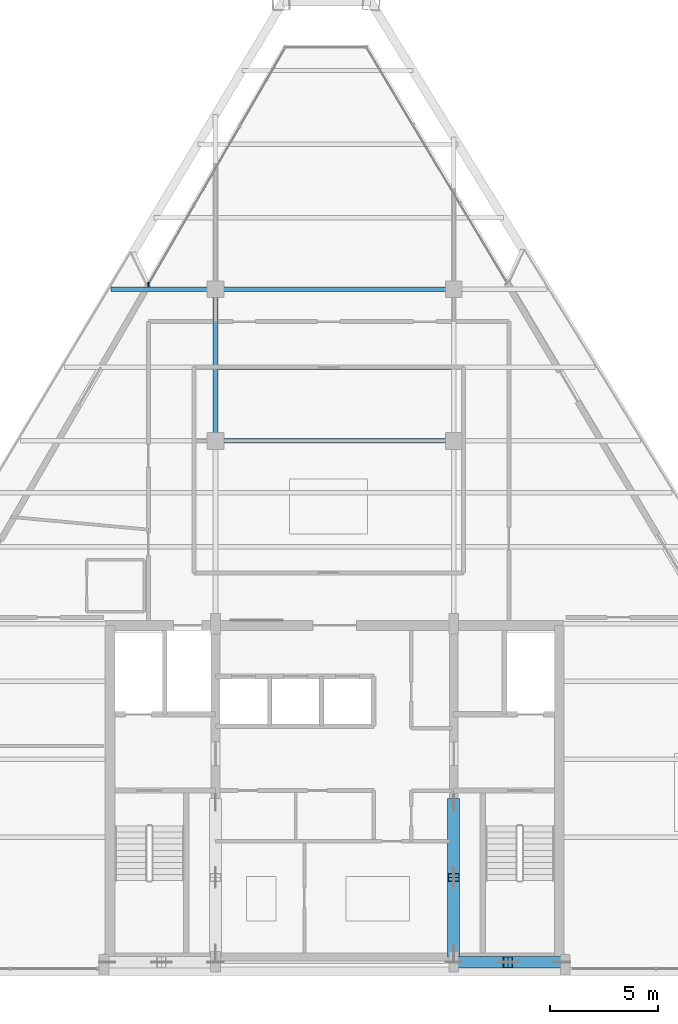
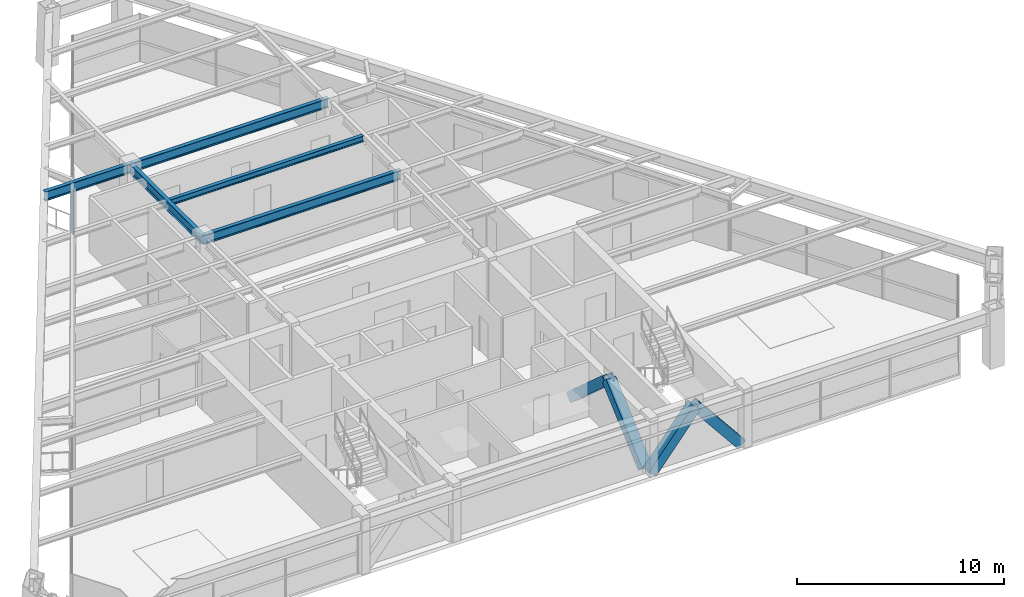
# One storey, part 4 of 13: 6 members, 5 beams, 1 element without a shape of its own.
"""IFC4 building model written with IfcOpenShell, lengths in metres."""

from ifc_helpers import new_model, si_unit, direction, frame, origin, origin_2d, place, context, subcontext, project, spatial, rectangle, hollow_rectangle, i_section, extrude, source, transform, mapped, material, material_profile, profile_set, type_object, type_shapes, element, aggregate, save


model = new_model("IFC4")

# Units and contexts
model_context = context("Model", 3, precision=1e-05, world=origin(), true_north=direction((0.0, 1.0)))
body_context = subcontext(model_context, "Body", "Model", "MODEL_VIEW")
ifc_project = project(units=[si_unit("LENGTHUNIT", "METRE"), si_unit("AREAUNIT", "SQUARE_METRE"), si_unit("VOLUMEUNIT", "CUBIC_METRE"), si_unit("PLANEANGLEUNIT", "RADIAN"), si_unit("MASSUNIT", "GRAM", prefix="KILO")], contexts=[model_context])

# Site, building, storey
site_placement = place(None, origin())
site = spatial("IfcSite", under=ifc_project, at=site_placement, CompositionType="ELEMENT")
building_placement = place(site_placement, origin())
building = spatial("IfcBuilding", under=site, at=building_placement, Name="Varnakhor Terracotta Tower", CompositionType="ELEMENT")
storey_placement = place(building_placement, frame((0.0, 0.0, 269.550048828125)))
storey = spatial("IfcBuildingStorey", under=building, at=storey_placement, Name="L70", CompositionType="ELEMENT", Elevation=269.550048828125)

# Beams
ifc_material_1 = material(Name="Steel S355", Category="steel")
ifc_material_profile_1 = material_profile(ifc_material_1, i_section(OverallWidth=0.214111328125, OverallDepth=0.549072265625, WebThickness=0.014892578125, FlangeThickness=0.02392578125, FilletRadius=0.01806640625, at=origin_2d()), Name="W21X93")
ifc_profile_set_1 = profile_set([ifc_material_profile_1], Name="Steel S355")
beam_type_1 = type_object("IfcBeamType", Name="BM-W21X93", PredefinedType="BEAM", material=ifc_profile_set_1)
shared_shape_1 = source(origin(), body_context, "Body", "SweptSolid", [
    extrude(i_section(OverallWidth=0.214111328125, OverallDepth=0.549072265625, WebThickness=0.014892578125, FlangeThickness=0.02392578125, FilletRadius=0.01806640625, at=origin_2d()), origin(), (0.0, 0.0, 1.0), 7.0),
])
beam_1_placement = place(storey_placement, frame((-5.5, 24.5, 2.96533203125), z_axis=(0.0, 1.0, 0.0), x_axis=(-1.0, 0.0, 0.0)))
element("IfcBeam", 1, at=beam_1_placement, inside=storey, type_object=beam_type_1, Name="L70 Primary Girder NS2-W", PredefinedType="BEAM", context=body_context, shape_type="MappedRepresentation", body=[
    mapped(shared_shape_1, transform((0.0, 0.0, 0.0), scale=1.0)),
])
shared_shape_2 = source(origin(), body_context, "Body", "SweptSolid", [
    extrude(i_section(OverallWidth=0.214111328125, OverallDepth=0.549072265625, WebThickness=0.014892578125, FlangeThickness=0.02392578125, FilletRadius=0.01806640625, at=origin_2d()), origin(), (0.0, 0.0, 1.0), 11.0),
])
for number, where, z_axis, x_axis, name in (
    (2, (-5.5, 24.5, 2.96533203125), (1.0, 0.0, 0.0), (0.0, 1.0, 0.0), "L70 Primary Girder EW2-2"),
    (3, (-5.5, 31.5, 2.96533203125), (1.0, 0.0, 0.0), (0.0, 1.0, 0.0), "L70 Primary Girder EW3-2"),
):
    element("IfcBeam", number, at=place(storey_placement, frame(where, z_axis=z_axis, x_axis=x_axis)), inside=storey, type_object=beam_type_1, Name=name, PredefinedType="BEAM", context=body_context, shape_type="MappedRepresentation", body=[
        mapped(shared_shape_2, transform((0.0, 0.0, 0.0), scale=1.0)),
    ])
ifc_material_profile_2 = material_profile(ifc_material_1, i_section(OverallWidth=0.202880859375, OverallDepth=0.346923828125, WebThickness=0.0078125, FlangeThickness=0.013427734375, FilletRadius=0.01806640625, at=origin_2d()), Name="W14X43")
ifc_profile_set_2 = profile_set([ifc_material_profile_2], Name="Steel S355")
beam_type_2 = type_object("IfcBeamType", Name="JST-W14X43", PredefinedType="JOIST", material=ifc_profile_set_2)
shared_shape_3 = source(origin(), body_context, "Body", "SweptSolid", [
    extrude(i_section(OverallWidth=0.202880859375, OverallDepth=0.346923828125, WebThickness=0.0078125, FlangeThickness=0.013427734375, FilletRadius=0.01806640625, at=origin_2d()), origin(), (0.0, 0.0, 1.0), 10.7939453125),
])
beam_2_placement = place(storey_placement, frame((-5.39697265625, 27.89990234375, 3.06640625), z_axis=(1.0, 0.0, 0.0), x_axis=(0.0, 1.0, 0.0)))
element("IfcBeam", 4, at=beam_2_placement, inside=storey, type_object=beam_type_2, Name="L70 Composite Floor Joist 6-2", PredefinedType="JOIST", context=body_context, shape_type="MappedRepresentation", body=[
    mapped(shared_shape_3, transform((0.0, 0.0, 0.0), scale=1.0)),
])

# Members
ifc_material_profile_3 = material_profile(ifc_material_1, hollow_rectangle(XDim=0.550048828125, YDim=0.550048828125, WallThickness=0.034912109375, at=origin_2d()), Name="HSS550X550X35")
ifc_profile_set_3 = profile_set([ifc_material_profile_3], Name="Steel S355")
member_type_1 = type_object("IfcMemberType", Name="MBR-MEGA-550", PredefinedType="BRACE", material=ifc_profile_set_3)
shared_shape_4 = source(origin(), body_context, "Body", "SweptSolid", [
    extrude(hollow_rectangle(XDim=0.550048828125, YDim=0.550048828125, WallThickness=0.034912109375, at=origin_2d()), origin(), (0.0, 0.0, 1.0), 4.650146484375),
])
member_1_placement = place(storey_placement, frame((5.5, 7.800048828125, 0.0), z_axis=(0.0, -0.747316617832, 0.664468112638), x_axis=(1.0, 0.0, 0.0)))
element("IfcMember", 5, at=member_1_placement, inside=storey, type_object=member_type_1, Name="L70 Core Coupled Brace CWEB", PredefinedType="BRACE", context=body_context, shape_type="MappedRepresentation", body=[
    mapped(shared_shape_4, transform((0.0, 0.0, 0.0), scale=1.0)),
])
shared_shape_5 = source(origin(), body_context, "Body", "SweptSolid", [
    extrude(hollow_rectangle(XDim=0.550048828125, YDim=0.550048828125, WallThickness=0.034912109375, at=origin_2d()), origin(), (0.0, 0.0, 1.0), 3.974609375),
])
for number, where, z_axis, x_axis, name in (
    (6, (5.5, 0.419921875, 0.0), (0.629000299358, 0.0, 0.777405057488), (0.0, 1.0, 0.0), "L70 Core Coupled Brace CSEA"),
    (7, (10.5, 0.419921875, 0.0), (-0.629000299358, 0.0, 0.777405057488), (0.0, -1.0, 0.0), "L70 Core Coupled Brace CSEB"),
):
    element("IfcMember", number, at=place(storey_placement, frame(where, z_axis=z_axis, x_axis=x_axis)), inside=storey, type_object=member_type_1, Name=name, PredefinedType="BRACE", context=body_context, shape_type="MappedRepresentation", body=[
        mapped(shared_shape_5, transform((0.0, 0.0, 0.0), scale=1.0)),
    ])
shared_shape_6 = source(origin(), body_context, "Body", "SweptSolid", [
    extrude(hollow_rectangle(XDim=0.550048828125, YDim=0.550048828125, WallThickness=0.034912109375, at=origin_2d()), origin(), (0.0, 0.0, 1.0), 4.64990234375),
])
member_2_placement = place(storey_placement, frame((5.5, 0.85009765625, 0.0), z_axis=(0.0, 0.747293435799, 0.664494184182), x_axis=(-1.0, 0.0, 0.0)))
element("IfcMember", 8, at=member_2_placement, inside=storey, type_object=member_type_1, Name="L70 Core Coupled Brace CWEA", PredefinedType="BRACE", context=body_context, shape_type="MappedRepresentation", body=[
    mapped(shared_shape_6, transform((0.0, 0.0, 0.0), scale=1.0)),
])

# Beam
shared_shape_7 = source(origin(), body_context, "Body", "SweptSolid", [
    extrude(i_section(OverallWidth=0.214111328125, OverallDepth=0.549072265625, WebThickness=0.014892578125, FlangeThickness=0.02392578125, FilletRadius=0.01806640625, at=origin_2d()), origin(), (0.0, 0.0, 1.0), 4.821533203125),
])
beam_3_placement = place(storey_placement, frame((-10.321533203125, 31.5, 2.96533203125), z_axis=(1.0, 0.0, 0.0), x_axis=(0.0, 1.0, 0.0)))
element("IfcBeam", 9, at=beam_3_placement, inside=storey, type_object=beam_type_1, Name="L70 Primary Girder EW3-1", PredefinedType="BEAM", context=body_context, shape_type="MappedRepresentation", body=[
    mapped(shared_shape_7, transform((0.0, 0.0, 0.0), scale=1.0)),
])

# Curtain wall, members
ifc_material_2 = material(Name="Anodised Aluminium Curtain Wall System", Category="aluminium")
curtain_wall_type = type_object("IfcCurtainWallType", Name="CW-SYS-HOTEL-LOGGIA", PredefinedType="NOTDEFINED", material=ifc_material_2)
curtain_wall_placement = place(storey_placement, origin())
curtain_wall = element("IfcCurtainWall", 10, at=curtain_wall_placement, inside=storey, type_object=curtain_wall_type, Name="L70 W Facet Curtain Wall 2", PredefinedType="NOTDEFINED")
ifc_material_3 = material(Name="Anodised Aluminium 6063-T6", Category="aluminium")
ifc_material_profile_4 = material_profile(ifc_material_3, rectangle(XDim=0.06494140625, YDim=0.159912109375, at=origin_2d()), Name="ALU MULLION 65x160")
ifc_profile_set_4 = profile_set([ifc_material_profile_4], Name="Anodised Aluminium 6063-T6")
member_type_2 = type_object("IfcMemberType", Name="CWM-04", PredefinedType="MULLION", material=ifc_profile_set_4)
shared_shape_8 = source(origin(), body_context, "Body", "SweptSolid", [
    extrude(rectangle(XDim=0.06494140625, YDim=0.159912109375, at=origin_2d()), origin(), (0.0, 0.0, 1.0), 2.820068359375),
])
type_shapes(member_type_2, [shared_shape_8])
member_3_placement = place(storey_placement, frame((-8.597900390625, 31.731689453125, 0.0), z_axis=(0.0, 0.0, 1.0), x_axis=(1.0, 0.0, 0.0)))
member_3 = element("IfcMember", 11, at=member_3_placement, type_object=member_type_2, Name="L70 W Facet Curtain Wall 2 Mullion 1", PredefinedType="MULLION", context=body_context, shape_type="MappedRepresentation", body=[
    mapped(shared_shape_8, transform((0.0, 0.0, 0.0), scale=1.0)),
])
member_4_placement = place(storey_placement, frame((-8.595703125, 31.69580078125, 0.0), z_axis=(0.0, 0.0, 1.0), x_axis=(1.0, 0.0, 0.0)))
member_4 = element("IfcMember", 12, at=member_4_placement, type_object=member_type_2, Name="L70 W Loggia Jamb Closure Mullion 2", PredefinedType="MULLION", context=body_context, shape_type="MappedRepresentation", body=[
    mapped(shared_shape_8, transform((0.0, 0.0, 0.0), scale=1.0)),
])
aggregate(curtain_wall, [member_3, member_4])

save(model, "model.ifc")
